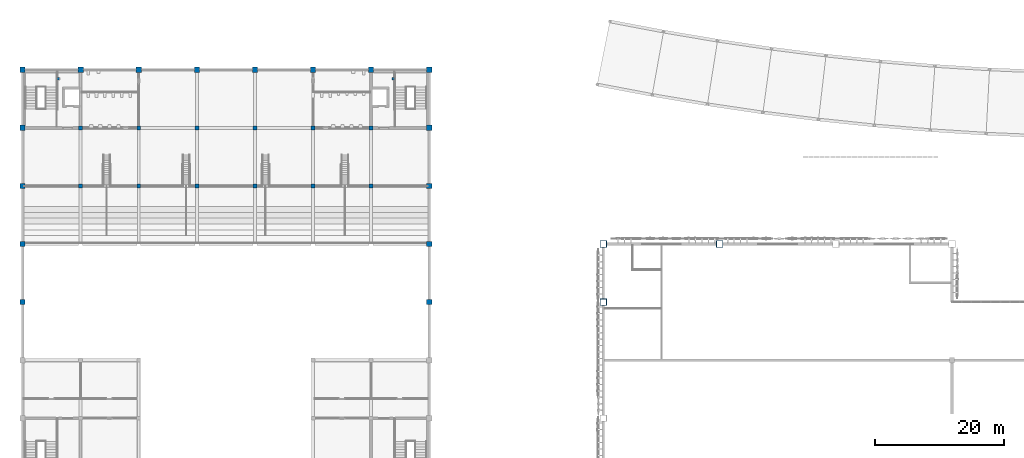
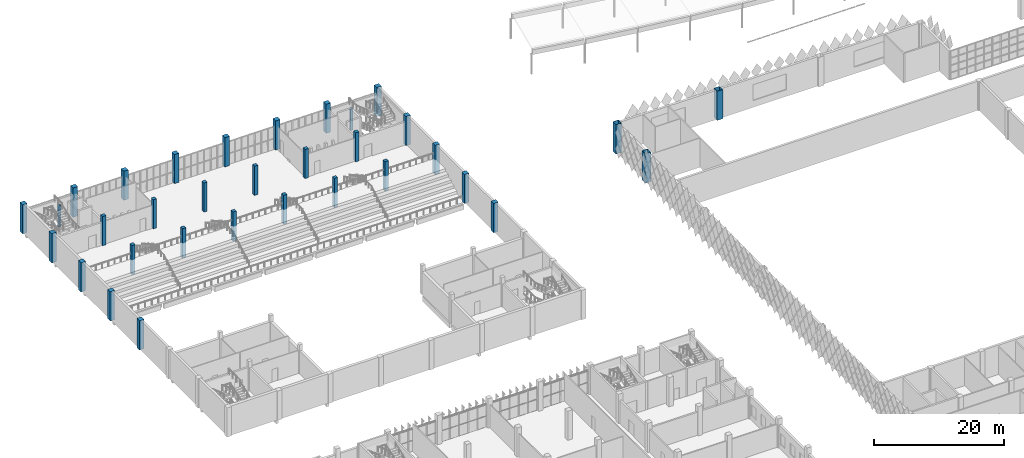
# One storey, part 6 of 185: 33 columns.
"""IFC4 building model written with IfcOpenShell, lengths in metres."""

from ifc_helpers import new_model, si_unit, direction, frame, origin, origin_2d, place, context, subcontext, project, spatial, rectangle, hollow_rectangle, extrude, material, material_profile, profile_set, type_object, element, save


model = new_model("IFC4")

# Units and contexts
model_context = context("Model", 3, precision=1e-05, world=origin(), true_north=direction((0.0, 1.0)))
body_context = subcontext(model_context, "Body", "Model", "MODEL_VIEW")
ifc_project = project(units=[si_unit("LENGTHUNIT", "METRE"), si_unit("AREAUNIT", "SQUARE_METRE"), si_unit("VOLUMEUNIT", "CUBIC_METRE"), si_unit("PLANEANGLEUNIT", "RADIAN"), si_unit("MASSUNIT", "GRAM", prefix="KILO")], contexts=[model_context])

# Site, building, storey
site_placement = place(None, origin())
site = spatial("IfcSite", under=ifc_project, at=site_placement, CompositionType="ELEMENT")
building_placement = place(site_placement, origin())
building = spatial("IfcBuilding", under=site, at=building_placement, Name="Opaline Strait Convention Centre", CompositionType="ELEMENT")
storey_placement = place(building_placement, frame((0.0, 0.0, 6.0)))
storey = spatial("IfcBuildingStorey", under=building, at=storey_placement, Name="L01", CompositionType="ELEMENT", Elevation=6.0)

# Columns
ifc_material_1 = material(Name="Steel Q355B", Category="steel")
ifc_material_profile_1 = material_profile(ifc_material_1, hollow_rectangle(XDim=1.0, YDim=1.0, WallThickness=0.031982421875, at=origin_2d()), Name="BOX 1000x1000x32")
ifc_profile_set_1 = profile_set([ifc_material_profile_1], Name="Steel Q355B")
column_type_1 = type_object("IfcColumnType", Name="CFT column BOX 1000x1000x32 C60 fill", PredefinedType="COLUMN", material=ifc_profile_set_1)
for number, where, z_axis, x_axis, name in (
    (1, (99.0, 144.0, 0.0), (0.0, 0.0, 1.0), (1.0, 0.0, 0.0), "Roof column XC-06"),
    (2, (99.0, 153.0, 0.0), (0.0, 0.0, 1.0), (1.0, 0.0, 0.0), "Roof column XC-07"),
    (3, (117.0, 153.0, 0.0), (0.0, 0.0, 1.0), (1.0, 0.0, 0.0), "Roof column XC-09"),
):
    element("IfcColumn", number, at=place(storey_placement, frame(where, z_axis=z_axis, x_axis=x_axis)), inside=storey, type_object=column_type_1, Name=name, ObjectType="XC1", PredefinedType="COLUMN", context=body_context, shape_type="SweptSolid", body=[
        extrude(hollow_rectangle(XDim=1.0, YDim=1.0, WallThickness=0.031982421875, at=origin_2d()), origin(), (0.0, 0.0, 1.0), 5.5),
    ])
ifc_material_2 = material(Name="Concrete C40", Category="concrete")
ifc_material_profile_2 = material_profile(ifc_material_2, rectangle(XDim=0.39990234375, YDim=0.39990234375, at=origin_2d()), Name="RC 400x400")
ifc_profile_set_2 = profile_set([ifc_material_profile_2], Name="Concrete C40")
column_type_2 = type_object("IfcColumnType", Name="RC column 400x400 C40", PredefinedType="COLUMN", material=ifc_profile_set_2)
for number, where, z_axis, x_axis, name in (
    (4, (14.550048828125, 178.60009765625, 0.0), (0.0, 0.0, 1.0), (1.0, 0.0, 0.0), "PC3 L01 NW stair landing column"),
    (5, (66.449951171875, 178.60009765625, 0.0), (0.0, 0.0, 1.0), (1.0, 0.0, 0.0), "PC3 L01 NE stair landing column"),
):
    element("IfcColumn", number, at=place(storey_placement, frame(where, z_axis=z_axis, x_axis=x_axis)), inside=storey, type_object=column_type_2, Name=name, PredefinedType="COLUMN", context=body_context, shape_type="SweptSolid", body=[
        extrude(rectangle(XDim=0.39990234375, YDim=0.39990234375, at=origin_2d()), origin(), (0.0, 0.0, 1.0), 4.0),
    ])
ifc_material_profile_3 = material_profile(ifc_material_2, rectangle(XDim=0.60009765625, YDim=0.60009765625, at=origin_2d()), Name="RC 600x600")
ifc_profile_set_3 = profile_set([ifc_material_profile_3], Name="Concrete C40")
column_type_3 = type_object("IfcColumnType", Name="RC column 600x600 C40", PredefinedType="COLUMN", material=ifc_profile_set_3)
for number, where, z_axis, x_axis, name in (
    (6, (18.0, 162.0, 0.0), (0.0, 0.0, 1.0), (1.0, 0.0, 0.0), "PC2 L01 at 3/U"),
    (7, (27.0, 162.0, 0.0), (0.0, 0.0, 1.0), (1.0, 0.0, 0.0), "PC2 L01 at 4/U"),
    (8, (36.0, 162.0, 0.0), (0.0, 0.0, 1.0), (1.0, 0.0, 0.0), "PC2 L01 at 5/U"),
    (9, (45.0, 162.0, 0.0), (0.0, 0.0, 1.0), (1.0, 0.0, 0.0), "PC2 L01 at 6/U"),
    (10, (54.0, 162.0, 0.0), (0.0, 0.0, 1.0), (1.0, 0.0, 0.0), "PC2 L01 at 7/U"),
    (11, (63.0, 162.0, 0.0), (0.0, 0.0, 1.0), (1.0, 0.0, 0.0), "PC2 L01 at 8/U"),
    (12, (18.0, 171.0, 0.0), (0.0, 0.0, 1.0), (1.0, 0.0, 0.0), "PC2 L01 at 3/V"),
    (13, (27.0, 171.0, 0.0), (0.0, 0.0, 1.0), (1.0, 0.0, 0.0), "PC2 L01 at 4/V"),
    (14, (36.0, 171.0, 0.0), (0.0, 0.0, 1.0), (1.0, 0.0, 0.0), "PC2 L01 at 5/V"),
    (15, (45.0, 171.0, 0.0), (0.0, 0.0, 1.0), (1.0, 0.0, 0.0), "PC2 L01 at 6/V"),
    (16, (54.0, 171.0, 0.0), (0.0, 0.0, 1.0), (1.0, 0.0, 0.0), "PC2 L01 at 7/V"),
    (17, (63.0, 171.0, 0.0), (0.0, 0.0, 1.0), (1.0, 0.0, 0.0), "PC2 L01 at 8/V"),
):
    element("IfcColumn", number, at=place(storey_placement, frame(where, z_axis=z_axis, x_axis=x_axis)), inside=storey, type_object=column_type_3, Name=name, PredefinedType="COLUMN", context=body_context, shape_type="SweptSolid", body=[
        extrude(rectangle(XDim=0.60009765625, YDim=0.60009765625, at=origin_2d()), origin(), (0.0, 0.0, 1.0), 5.5),
    ])
ifc_material_profile_4 = material_profile(ifc_material_2, rectangle(XDim=0.800048828125, YDim=0.800048828125, at=origin_2d()), Name="RC 800x800")
ifc_profile_set_4 = profile_set([ifc_material_profile_4], Name="Concrete C40")
column_type_4 = type_object("IfcColumnType", Name="RC column 800x800 C40", PredefinedType="COLUMN", material=ifc_profile_set_4)
for number, where, z_axis, x_axis, name in (
    (18, (9.0, 144.0, 0.0), (0.0, 0.0, 1.0), (1.0, 0.0, 0.0), "XC2 L01 at 2/S"),
    (19, (72.0, 144.0, 0.0), (0.0, 0.0, 1.0), (1.0, 0.0, 0.0), "XC2 L01 at 9/S"),
    (20, (9.0, 153.0, 0.0), (0.0, 0.0, 1.0), (1.0, 0.0, 0.0), "XC2 L01 at 2/T"),
    (21, (72.0, 153.0, 0.0), (0.0, 0.0, 1.0), (1.0, 0.0, 0.0), "XC2 L01 at 9/T"),
    (22, (9.0, 162.0, 0.0), (0.0, 0.0, 1.0), (1.0, 0.0, 0.0), "XC2 L01 at 2/U"),
    (23, (72.0, 162.0, 0.0), (0.0, 0.0, 1.0), (1.0, 0.0, 0.0), "XC2 L01 at 9/U"),
    (24, (9.0, 171.0, 0.0), (0.0, 0.0, 1.0), (1.0, 0.0, 0.0), "XC2 L01 at 2/V"),
    (25, (72.0, 171.0, 0.0), (0.0, 0.0, 1.0), (1.0, 0.0, 0.0), "XC2 L01 at 9/V"),
    (26, (9.0, 180.0, 0.0), (0.0, 0.0, 1.0), (1.0, 0.0, 0.0), "XC2 L01 at 2/W"),
    (27, (18.0, 180.0, 0.0), (0.0, 0.0, 1.0), (1.0, 0.0, 0.0), "XC2 L01 at 3/W"),
    (28, (27.0, 180.0, 0.0), (0.0, 0.0, 1.0), (1.0, 0.0, 0.0), "XC2 L01 at 4/W"),
    (29, (36.0, 180.0, 0.0), (0.0, 0.0, 1.0), (1.0, 0.0, 0.0), "XC2 L01 at 5/W"),
    (30, (45.0, 180.0, 0.0), (0.0, 0.0, 1.0), (1.0, 0.0, 0.0), "XC2 L01 at 6/W"),
    (31, (54.0, 180.0, 0.0), (0.0, 0.0, 1.0), (1.0, 0.0, 0.0), "XC2 L01 at 7/W"),
    (32, (63.0, 180.0, 0.0), (0.0, 0.0, 1.0), (1.0, 0.0, 0.0), "XC2 L01 at 8/W"),
    (33, (72.0, 180.0, 0.0), (0.0, 0.0, 1.0), (1.0, 0.0, 0.0), "XC2 L01 at 9/W"),
):
    element("IfcColumn", number, at=place(storey_placement, frame(where, z_axis=z_axis, x_axis=x_axis)), inside=storey, type_object=column_type_4, Name=name, PredefinedType="COLUMN", context=body_context, shape_type="SweptSolid", body=[
        extrude(rectangle(XDim=0.800048828125, YDim=0.800048828125, at=origin_2d()), origin(), (0.0, 0.0, 1.0), 5.5),
    ])

save(model, "model.ifc")
